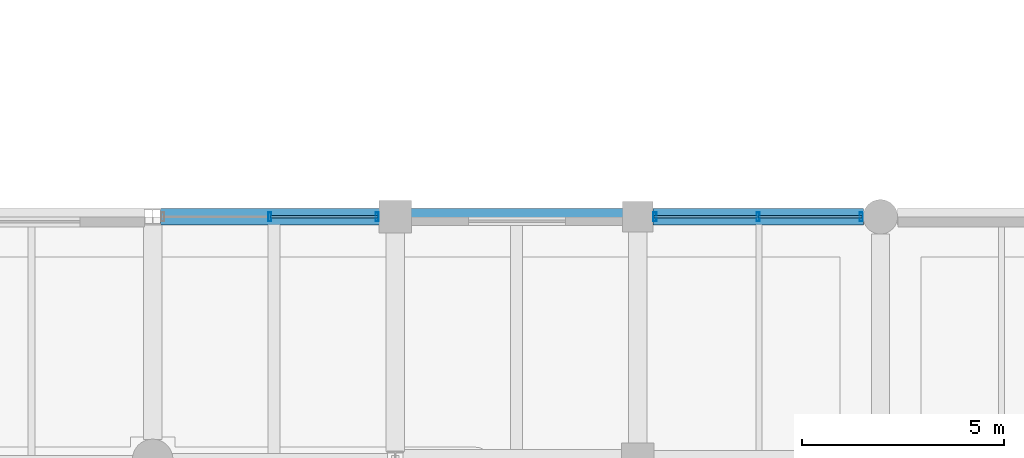
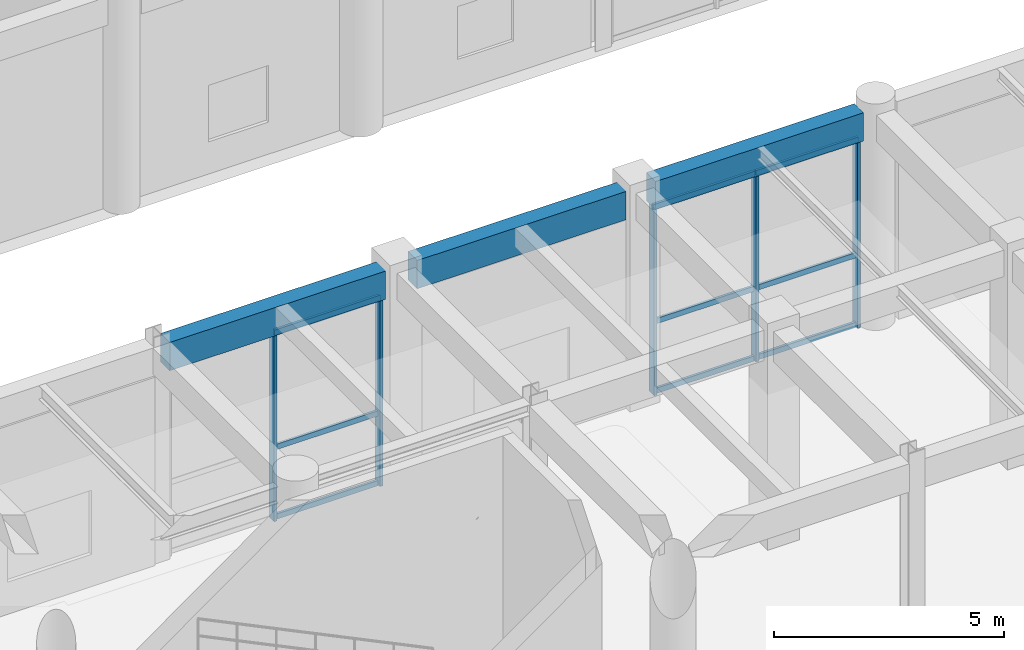
# One storey, part 41 of 106: 14 members, 3 beams, 2 elements without a shape of their own.
"""IFC4 building model written with IfcOpenShell, lengths in metres."""

from ifc_helpers import new_model, si_unit, direction, frame, origin, origin_2d, place, context, subcontext, project, spatial, rectangle, hollow_rectangle, extrude, material, material_profile, profile_set, type_object, element, aggregate, save


model = new_model("IFC4")

# Units and contexts
model_context = context("Model", 3, precision=1e-05, world=origin(), true_north=direction((0.0, 1.0)))
body_context = subcontext(model_context, "Body", "Model", "MODEL_VIEW")
ifc_project = project(units=[si_unit("LENGTHUNIT", "METRE"), si_unit("AREAUNIT", "SQUARE_METRE"), si_unit("VOLUMEUNIT", "CUBIC_METRE"), si_unit("PLANEANGLEUNIT", "RADIAN"), si_unit("MASSUNIT", "GRAM", prefix="KILO"), si_unit("THERMODYNAMICTEMPERATUREUNIT", "KELVIN"), si_unit("POWERUNIT", "WATT")], contexts=[model_context])

# Site, building, storey
site_placement = place(None, origin())
site = spatial("IfcSite", under=ifc_project, at=site_placement, CompositionType="ELEMENT")
building_placement = place(site_placement, origin())
building = spatial("IfcBuilding", under=site, at=building_placement, Name="Phaisarnlok Congress Hotel", CompositionType="ELEMENT")
storey_placement = place(building_placement, origin())
storey = spatial("IfcBuildingStorey", under=building, at=storey_placement, Name="L00", CompositionType="ELEMENT", Elevation=0.0)

# Curtain wall, members
ifc_material_1 = material(Name="Thermally Broken Unitised Aluminium & Low-E Glazing", Category="aluminium")
curtain_wall_type_1 = type_object("IfcCurtainWallType", Name="CW-UNIT-03", PredefinedType="NOTDEFINED", material=ifc_material_1)
curtain_wall_1_placement = place(storey_placement, origin())
curtain_wall_1 = element("IfcCurtainWall", 1, at=curtain_wall_1_placement, inside=storey, type_object=curtain_wall_type_1, Name="Unitised curtain wall CW-03 (L00)", PredefinedType="NOTDEFINED")
ifc_material_2 = material(Name="Anodised Aluminium Alloy 6063-T6", Category="aluminium")
ifc_material_profile_1 = material_profile(ifc_material_2, hollow_rectangle(XDim=0.074951171875, YDim=0.219970703125, WallThickness=0.0048828125, at=origin_2d()), Name="ALU-M 75x220x5")
ifc_profile_set_1 = profile_set([ifc_material_profile_1], Name="Anodised Aluminium Alloy 6063-T6")
member_type_1 = type_object("IfcMemberType", Name="CWM-220", PredefinedType="MULLION", material=ifc_profile_set_1)
member_1_placement = place(storey_placement, frame((95.52490234375, 96.0, 0.0), z_axis=(0.0, 0.0, 1.0), x_axis=(-1.0, 0.0, 0.0)))
member_1 = element("IfcMember", 2, at=member_1_placement, type_object=member_type_1, Name="Curtain wall mullion CWM-02", PredefinedType="MULLION", context=body_context, shape_type="SweptSolid", body=[
    extrude(hollow_rectangle(XDim=0.074951171875, YDim=0.219970703125, WallThickness=0.0048828125, at=origin_2d()), origin(), (0.0, 0.0, 1.0), 4.989990234375),
])
member_2_placement = place(storey_placement, frame((92.97509765625, 96.0, 0.0), z_axis=(0.0, 0.0, 1.0), x_axis=(-1.0, 0.0, 0.0)))
member_2 = element("IfcMember", 3, at=member_2_placement, type_object=member_type_1, Name="Curtain wall mullion CWM-02", PredefinedType="MULLION", context=body_context, shape_type="SweptSolid", body=[
    extrude(hollow_rectangle(XDim=0.074951171875, YDim=0.219970703125, WallThickness=0.0048828125, at=origin_2d()), origin(), (0.0, 0.0, 1.0), 4.989990234375),
])
member_3_placement = place(storey_placement, frame((90.425048828125, 96.0, 0.0), z_axis=(0.0, 0.0, 1.0), x_axis=(-1.0, 0.0, 0.0)))
member_3 = element("IfcMember", 4, at=member_3_placement, type_object=member_type_1, Name="Curtain wall mullion CWM-02", PredefinedType="MULLION", context=body_context, shape_type="SweptSolid", body=[
    extrude(hollow_rectangle(XDim=0.074951171875, YDim=0.219970703125, WallThickness=0.0048828125, at=origin_2d()), origin(), (0.0, 0.0, 1.0), 4.989990234375),
])

curtain_wall_type_2 = type_object("IfcCurtainWallType", Name="CW-UNIT-04", PredefinedType="NOTDEFINED", material=ifc_material_1)
curtain_wall_2_placement = place(storey_placement, origin())
curtain_wall_2 = element("IfcCurtainWall", 5, at=curtain_wall_2_placement, inside=storey, type_object=curtain_wall_type_2, Name="Unitised curtain wall CW-04 (L00)", PredefinedType="NOTDEFINED")
member_4_placement = place(storey_placement, frame((83.550048828125, 96.0, 0.0), z_axis=(0.0, 0.0, 1.0), x_axis=(-1.0, 0.0, 0.0)))
member_4 = element("IfcMember", 6, at=member_4_placement, type_object=member_type_1, Name="Curtain wall mullion CWM-02", PredefinedType="MULLION", context=body_context, shape_type="SweptSolid", body=[
    extrude(hollow_rectangle(XDim=0.074951171875, YDim=0.219970703125, WallThickness=0.0048828125, at=origin_2d()), origin(), (0.0, 0.0, 1.0), 4.989990234375),
])
member_5_placement = place(storey_placement, frame((80.900146484375, 96.0, 0.0), z_axis=(0.0, 0.0, 1.0), x_axis=(-1.0, 0.0, 0.0)))
member_5 = element("IfcMember", 7, at=member_5_placement, type_object=member_type_1, Name="Curtain wall mullion CWM-02", PredefinedType="MULLION", context=body_context, shape_type="SweptSolid", body=[
    extrude(hollow_rectangle(XDim=0.074951171875, YDim=0.219970703125, WallThickness=0.0048828125, at=origin_2d()), origin(), (0.0, 0.0, 1.0), 4.989990234375),
])

# Member
ifc_material_profile_2 = material_profile(ifc_material_2, hollow_rectangle(XDim=0.06494140625, YDim=0.139892578125, WallThickness=0.00390625, at=origin_2d()), Name="ALU-T 65x140x4")
ifc_profile_set_2 = profile_set([ifc_material_profile_2], Name="Anodised Aluminium Alloy 6063-T6")
member_type_2 = type_object("IfcMemberType", Name="CWT-150", PredefinedType="USERDEFINED", material=ifc_profile_set_2)
member_6_placement = place(storey_placement, frame((95.550048828125, 96.0, 0.050048828125), z_axis=(-1.0, 0.0, 0.0), x_axis=(0.0, -1.0, 0.0)))
member_6 = element("IfcMember", 8, at=member_6_placement, type_object=member_type_2, Name="Curtain wall transom CWT-01", ObjectType="TRANSOM", PredefinedType="USERDEFINED", context=body_context, shape_type="SweptSolid", body=[
    extrude(hollow_rectangle(XDim=0.06494140625, YDim=0.139892578125, WallThickness=0.00390625, at=origin_2d()), origin(), (0.0, 0.0, 1.0), 2.56005859375),
])

member_7_placement = place(storey_placement, frame((95.550048828125, 96.0, 1.896240234375), z_axis=(-1.0, 0.0, 0.0), x_axis=(0.0, -1.0, 0.0)))
member_7 = element("IfcMember", 9, at=member_7_placement, type_object=member_type_2, Name="Curtain wall transom CWT-01", ObjectType="TRANSOM", PredefinedType="USERDEFINED", context=body_context, shape_type="SweptSolid", body=[
    extrude(hollow_rectangle(XDim=0.06494140625, YDim=0.139892578125, WallThickness=0.00390625, at=origin_2d()), origin(), (0.0, 0.0, 1.0), 2.56005859375),
])

member_8_placement = place(storey_placement, frame((95.550048828125, 96.0, 4.93994140625), z_axis=(-1.0, 0.0, 0.0), x_axis=(0.0, -1.0, 0.0)))
member_8 = element("IfcMember", 10, at=member_8_placement, type_object=member_type_2, Name="Curtain wall transom CWT-01", ObjectType="TRANSOM", PredefinedType="USERDEFINED", context=body_context, shape_type="SweptSolid", body=[
    extrude(hollow_rectangle(XDim=0.06494140625, YDim=0.139892578125, WallThickness=0.00390625, at=origin_2d()), origin(), (0.0, 0.0, 1.0), 2.56005859375),
])

member_9_placement = place(storey_placement, frame((92.9599609375, 96.0, 0.050048828125), z_axis=(-1.0, 0.0, 0.0), x_axis=(0.0, -1.0, 0.0)))
member_9 = element("IfcMember", 11, at=member_9_placement, type_object=member_type_2, Name="Curtain wall transom CWT-01", ObjectType="TRANSOM", PredefinedType="USERDEFINED", context=body_context, shape_type="SweptSolid", body=[
    extrude(hollow_rectangle(XDim=0.06494140625, YDim=0.139892578125, WallThickness=0.00390625, at=origin_2d()), origin(), (0.0, 0.0, 1.0), 2.56005859375),
])

member_10_placement = place(storey_placement, frame((92.9599609375, 96.0, 1.896240234375), z_axis=(-1.0, 0.0, 0.0), x_axis=(0.0, -1.0, 0.0)))
member_10 = element("IfcMember", 12, at=member_10_placement, type_object=member_type_2, Name="Curtain wall transom CWT-01", ObjectType="TRANSOM", PredefinedType="USERDEFINED", context=body_context, shape_type="SweptSolid", body=[
    extrude(hollow_rectangle(XDim=0.06494140625, YDim=0.139892578125, WallThickness=0.00390625, at=origin_2d()), origin(), (0.0, 0.0, 1.0), 2.56005859375),
])

member_11_placement = place(storey_placement, frame((92.9599609375, 96.0, 4.93994140625), z_axis=(-1.0, 0.0, 0.0), x_axis=(0.0, -1.0, 0.0)))
member_11 = element("IfcMember", 13, at=member_11_placement, type_object=member_type_2, Name="Curtain wall transom CWT-01", ObjectType="TRANSOM", PredefinedType="USERDEFINED", context=body_context, shape_type="SweptSolid", body=[
    extrude(hollow_rectangle(XDim=0.06494140625, YDim=0.139892578125, WallThickness=0.00390625, at=origin_2d()), origin(), (0.0, 0.0, 1.0), 2.56005859375),
])

aggregate(curtain_wall_1, [member_1, member_2, member_3, member_6, member_7, member_8, member_9, member_10, member_11])

member_12_placement = place(storey_placement, frame((83.574951171875, 96.0, 0.050048828125), z_axis=(-1.0, 0.0, 0.0), x_axis=(0.0, -1.0, 0.0)))
member_12 = element("IfcMember", 14, at=member_12_placement, type_object=member_type_2, Name="Curtain wall transom CWT-01", ObjectType="TRANSOM", PredefinedType="USERDEFINED", context=body_context, shape_type="SweptSolid", body=[
    extrude(hollow_rectangle(XDim=0.06494140625, YDim=0.139892578125, WallThickness=0.00390625, at=origin_2d()), origin(), (0.0, 0.0, 1.0), 2.65966796875),
])

member_13_placement = place(storey_placement, frame((83.574951171875, 96.0, 1.896240234375), z_axis=(-1.0, 0.0, 0.0), x_axis=(0.0, -1.0, 0.0)))
member_13 = element("IfcMember", 15, at=member_13_placement, type_object=member_type_2, Name="Curtain wall transom CWT-01", ObjectType="TRANSOM", PredefinedType="USERDEFINED", context=body_context, shape_type="SweptSolid", body=[
    extrude(hollow_rectangle(XDim=0.06494140625, YDim=0.139892578125, WallThickness=0.00390625, at=origin_2d()), origin(), (0.0, 0.0, 1.0), 2.65966796875),
])

member_14_placement = place(storey_placement, frame((83.574951171875, 96.0, 4.93994140625), z_axis=(-1.0, 0.0, 0.0), x_axis=(0.0, -1.0, 0.0)))
member_14 = element("IfcMember", 16, at=member_14_placement, type_object=member_type_2, Name="Curtain wall transom CWT-01", ObjectType="TRANSOM", PredefinedType="USERDEFINED", context=body_context, shape_type="SweptSolid", body=[
    extrude(hollow_rectangle(XDim=0.06494140625, YDim=0.139892578125, WallThickness=0.00390625, at=origin_2d()), origin(), (0.0, 0.0, 1.0), 2.65966796875),
])

aggregate(curtain_wall_2, [member_4, member_5, member_12, member_13, member_14])

# Beams
ifc_material_3 = material(Name="Concrete C40/50", Category="concrete")
ifc_material_profile_3 = material_profile(ifc_material_3, rectangle(XDim=0.39990234375, YDim=0.75, at=origin_2d()), Name="RC 400x750")
ifc_profile_set_3 = profile_set([ifc_material_profile_3], Name="Concrete C40/50")
beam_type = type_object("IfcBeamType", Name="SP-RC-400x750", PredefinedType="SPANDREL", material=ifc_profile_set_3)
beam_1_placement = place(storey_placement, frame((78.195556640625, 96.0, 5.364990234375), z_axis=(1.0, 0.0, 0.0), x_axis=(0.0, 1.0, 0.0)))
element("IfcBeam", 17, at=beam_1_placement, inside=storey, type_object=beam_type, Name="Beam SP-02", PredefinedType="SPANDREL", context=body_context, shape_type="SweptSolid", body=[
    extrude(rectangle(XDim=0.39990234375, YDim=0.75, at=origin_2d()), origin(), (0.0, 0.0, 1.0), 5.409423828125),
])
beam_2_placement = place(storey_placement, frame((84.39501953125, 96.0, 5.364990234375), z_axis=(1.0, 0.0, 0.0), x_axis=(0.0, 1.0, 0.0)))
element("IfcBeam", 18, at=beam_2_placement, inside=storey, type_object=beam_type, Name="Beam SP-02", PredefinedType="SPANDREL", context=body_context, shape_type="SweptSolid", body=[
    extrude(rectangle(XDim=0.39990234375, YDim=0.75, at=origin_2d()), origin(), (0.0, 0.0, 1.0), 5.23486328125),
])
beam_3_placement = place(storey_placement, frame((90.3701171875, 96.0, 5.364990234375), z_axis=(1.0, 0.0, 0.0), x_axis=(0.0, 1.0, 0.0)))
element("IfcBeam", 19, at=beam_3_placement, inside=storey, type_object=beam_type, Name="Beam SP-02", PredefinedType="SPANDREL", context=body_context, shape_type="SweptSolid", body=[
    extrude(rectangle(XDim=0.39990234375, YDim=0.75, at=origin_2d()), origin(), (0.0, 0.0, 1.0), 5.2099609375),
])

save(model, "model.ifc")
